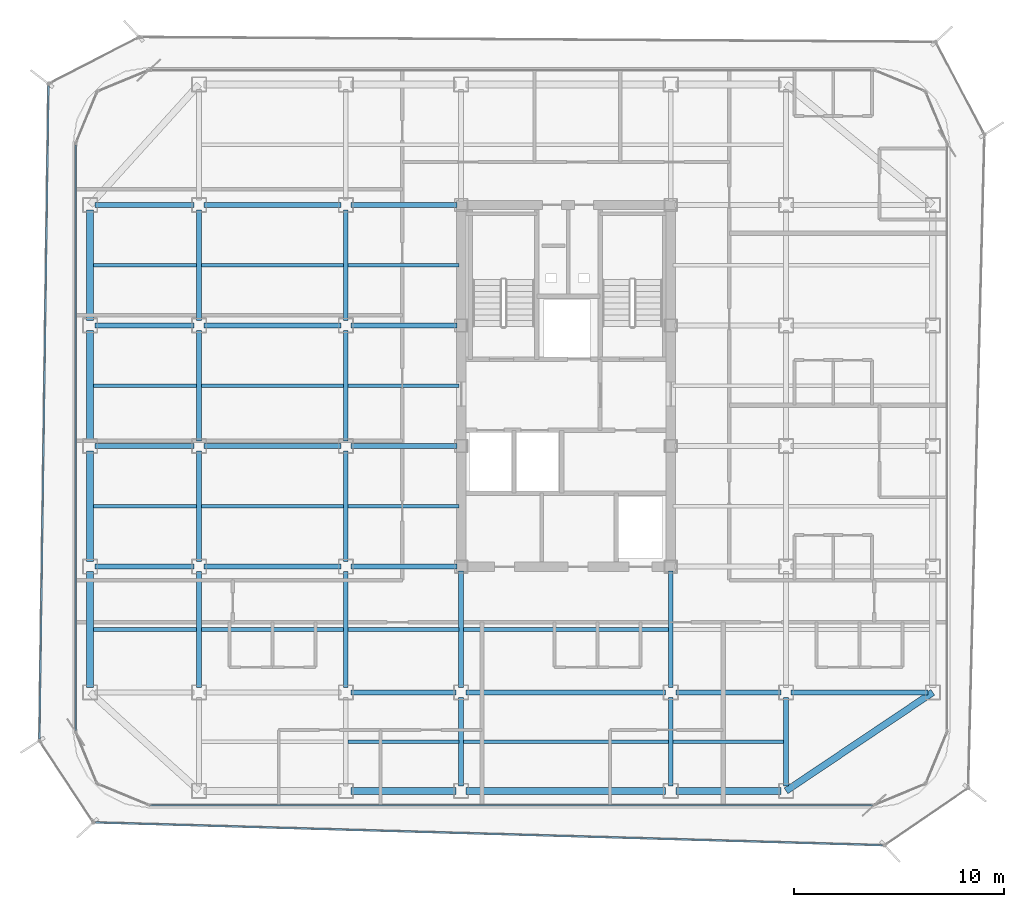
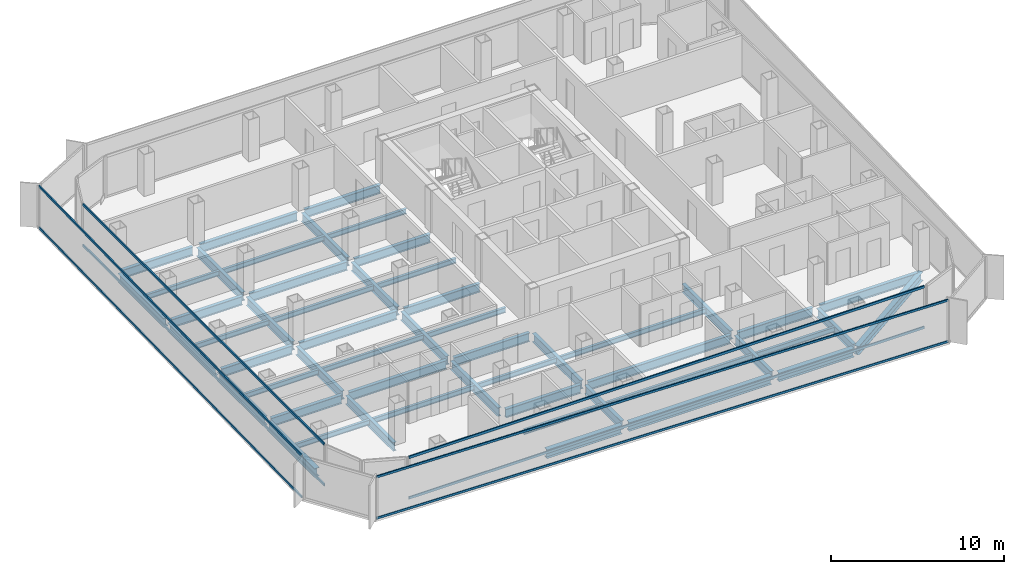
# One storey, part 3 of 15: 53 beams, 8 members, 4 elements without a shape of their own.
"""IFC4 building model written with IfcOpenShell, lengths in metres."""

from ifc_helpers import new_model, si_unit, direction, frame, origin, origin_2d, place, context, subcontext, project, spatial, hollow_rectangle, i_section, extrude, source, transform, mapped, material, layer, layer_set, material_profile, profile_set, type_object, element, aggregate, save


model = new_model("IFC4")

# Units and contexts
model_context = context("Model", 3, precision=1e-05, world=origin(), true_north=direction((0.0, 1.0)))
body_context = subcontext(model_context, "Body", "Model", "MODEL_VIEW")
ifc_project = project(units=[si_unit("LENGTHUNIT", "METRE"), si_unit("AREAUNIT", "SQUARE_METRE"), si_unit("VOLUMEUNIT", "CUBIC_METRE"), si_unit("PLANEANGLEUNIT", "RADIAN"), si_unit("MASSUNIT", "GRAM", prefix="KILO")], contexts=[model_context])

# Site, building, storey
site_placement = place(None, origin())
site = spatial("IfcSite", under=ifc_project, at=site_placement, CompositionType="ELEMENT")
building_placement = place(site_placement, origin())
building = spatial("IfcBuilding", under=site, at=building_placement, Name="Kolveth Station Tower", CompositionType="ELEMENT")
storey_placement = place(building_placement, frame((0.0, 0.0, 202.800048828125)))
storey = spatial("IfcBuildingStorey", under=building, at=storey_placement, Name="L57", CompositionType="ELEMENT", Elevation=202.800048828125)

# Beams
ifc_material_1 = material(Name="Steel S355", Category="steel")
ifc_material_profile_1 = material_profile(ifc_material_1, i_section(OverallWidth=0.323974609375, OverallDepth=0.611083984375, WebThickness=0.0126953125, FlangeThickness=0.01904296875, at=origin_2d()), Name="W610x155")
ifc_profile_set_1 = profile_set([ifc_material_profile_1], Name="Steel S355")
beam_type_1 = type_object("IfcBeamType", Name="Beam_SP2", PredefinedType="SPANDREL", material=ifc_profile_set_1)
shared_shape_1 = source(origin(), body_context, "Body", "SweptSolid", [
    extrude(i_section(OverallWidth=0.323974609375, OverallDepth=0.611083984375, WebThickness=0.0126953125, FlangeThickness=0.01904296875, at=origin_2d()), origin(), (0.0, 0.0, 1.0), 5.02001953125),
])
for number, where, z_axis, x_axis, name in (
    (1, (13.239990234375, 0.800048828125, -0.5556640625), (1.0, 0.0, 0.0), (0.0, 1.0, 0.0), "L57 Perimeter Spandrel BM-L57-PS-2"),
    (2, (28.739990234375, 0.800048828125, -0.5556640625), (1.0, 0.0, 0.0), (0.0, 1.0, 0.0), "L57 Perimeter Spandrel BM-L57-PS-4"),
):
    element("IfcBeam", number, at=place(storey_placement, frame(where, z_axis=z_axis, x_axis=x_axis)), inside=storey, type_object=beam_type_1, Name=name, PredefinedType="SPANDREL", context=body_context, shape_type="MappedRepresentation", body=[
        mapped(shared_shape_1, transform((0.0, 0.0, 0.0), x_axis=(1.0, 0.0, 0.0), y_axis=(0.0, 1.0, 0.0), z_axis=(0.0, 0.0, 1.0), scale=1.0)),
    ])
shared_shape_2 = source(origin(), body_context, "Body", "SweptSolid", [
    extrude(i_section(OverallWidth=0.323974609375, OverallDepth=0.611083984375, WebThickness=0.0126953125, FlangeThickness=0.01904296875, at=origin_2d()), origin(), (0.0, 0.0, 1.0), 9.52001953125),
])
beam_1_placement = place(storey_placement, frame((18.739990234375, 0.800048828125, -0.5556640625), z_axis=(1.0, 0.0, 0.0), x_axis=(0.0, 1.0, 0.0)))
element("IfcBeam", 3, at=beam_1_placement, inside=storey, type_object=beam_type_1, Name="L57 Perimeter Spandrel BM-L57-PS-3", PredefinedType="SPANDREL", context=body_context, shape_type="MappedRepresentation", body=[
    mapped(shared_shape_2, transform((0.0, 0.0, 0.0), x_axis=(1.0, 0.0, 0.0), y_axis=(0.0, 1.0, 0.0), z_axis=(0.0, 0.0, 1.0), scale=1.0)),
])
shared_shape_3 = source(origin(), body_context, "Body", "SweptSolid", [
    extrude(i_section(OverallWidth=0.323974609375, OverallDepth=0.611083984375, WebThickness=0.0126953125, FlangeThickness=0.01904296875, at=origin_2d()), origin(), (0.0, 0.0, 1.0), 5.52001953125),
])
beam_2_placement = place(storey_placement, frame((0.800048828125, 5.739990234375, -0.5556640625), z_axis=(0.0, 1.0, 0.0), x_axis=(-1.0, 0.0, 0.0)))
element("IfcBeam", 4, at=beam_2_placement, inside=storey, type_object=beam_type_1, Name="L57 Perimeter Spandrel BM-L57-PW-1", PredefinedType="SPANDREL", context=body_context, shape_type="MappedRepresentation", body=[
    mapped(shared_shape_3, transform((0.0, 0.0, 0.0), x_axis=(1.0, 0.0, 0.0), y_axis=(0.0, 1.0, 0.0), z_axis=(0.0, 0.0, 1.0), scale=1.0)),
])
shared_shape_4 = source(origin(), body_context, "Body", "SweptSolid", [
    extrude(i_section(OverallWidth=0.323974609375, OverallDepth=0.611083984375, WebThickness=0.0126953125, FlangeThickness=0.01904296875, at=origin_2d()), origin(), (0.0, 0.0, 1.0), 5.27001953125),
])
for number, where, z_axis, x_axis, name in (
    (5, (0.800048828125, 11.739990234375, -0.5556640625), (0.0, 1.0, 0.0), (-1.0, 0.0, 0.0), "L57 Perimeter Spandrel BM-L57-PW-2"),
    (6, (0.800048828125, 17.489990234375, -0.5556640625), (0.0, 1.0, 0.0), (-1.0, 0.0, 0.0), "L57 Perimeter Spandrel BM-L57-PW-3"),
    (7, (0.800048828125, 23.239990234375, -0.5556640625), (0.0, 1.0, 0.0), (-1.0, 0.0, 0.0), "L57 Perimeter Spandrel BM-L57-PW-4"),
):
    element("IfcBeam", number, at=place(storey_placement, frame(where, z_axis=z_axis, x_axis=x_axis)), inside=storey, type_object=beam_type_1, Name=name, PredefinedType="SPANDREL", context=body_context, shape_type="MappedRepresentation", body=[
        mapped(shared_shape_4, transform((0.0, 0.0, 0.0), x_axis=(1.0, 0.0, 0.0), y_axis=(0.0, 1.0, 0.0), z_axis=(0.0, 0.0, 1.0), scale=1.0)),
    ])
shared_shape_5 = source(origin(), body_context, "Body", "SweptSolid", [
    extrude(i_section(OverallWidth=0.323974609375, OverallDepth=0.611083984375, WebThickness=0.0126953125, FlangeThickness=0.01904296875, at=origin_2d()), origin(), (0.0, 0.0, 1.0), 8.431396484375),
])
beam_3_placement = place(storey_placement, frame((34.0, 0.800048828125, -0.5556640625), z_axis=(0.830223811004, 0.557430196206, 0.0), x_axis=(-0.557430196206, 0.830223811004, 0.0)))
element("IfcBeam", 8, at=beam_3_placement, inside=storey, type_object=beam_type_1, Name="L57 Corner Edge Girder BM-L57-CNR-SE", PredefinedType="SPANDREL", context=body_context, shape_type="MappedRepresentation", body=[
    mapped(shared_shape_5, transform((0.0, 0.0, 0.0), x_axis=(1.0, 0.0, 0.0), y_axis=(0.0, 1.0, 0.0), z_axis=(0.0, 0.0, 1.0), scale=1.0)),
])
ifc_material_profile_2 = material_profile(ifc_material_1, i_section(OverallWidth=0.22900390625, OverallDepth=0.612060546875, WebThickness=0.011962890625, FlangeThickness=0.01953125, at=origin_2d()), Name="W610x125")
ifc_profile_set_2 = profile_set([ifc_material_profile_2], Name="Steel S355")
beam_type_2 = type_object("IfcBeamType", Name="Beam_B5", PredefinedType="BEAM", material=ifc_profile_set_2)
shared_shape_6 = source(origin(), body_context, "Body", "SweptSolid", [
    extrude(i_section(OverallWidth=0.22900390625, OverallDepth=0.612060546875, WebThickness=0.011962890625, FlangeThickness=0.01953125, at=origin_2d()), origin(), (0.0, 0.0, 1.0), 4.719970703125),
])
for number, where, z_axis, x_axis, name in (
    (9, (1.0400390625, 11.5, -0.55615234375), (1.0, 0.0, 0.0), (0.0, 1.0, 0.0), "L57 Primary Girder BM-L57-GY115-1"),
    (10, (1.0400390625, 17.25, -0.55615234375), (1.0, 0.0, 0.0), (0.0, 1.0, 0.0), "L57 Primary Girder BM-L57-GY172-1"),
    (11, (1.0400390625, 23.0, -0.55615234375), (1.0, 0.0, 0.0), (0.0, 1.0, 0.0), "L57 Primary Girder BM-L57-GY230-1"),
    (12, (1.0400390625, 28.75, -0.55615234375), (1.0, 0.0, 0.0), (0.0, 1.0, 0.0), "L57 Primary Girder BM-L57-GY287-1"),
):
    element("IfcBeam", number, at=place(storey_placement, frame(where, z_axis=z_axis, x_axis=x_axis)), inside=storey, type_object=beam_type_2, Name=name, PredefinedType="BEAM", context=body_context, shape_type="MappedRepresentation", body=[
        mapped(shared_shape_6, transform((0.0, 0.0, 0.0), x_axis=(1.0, 0.0, 0.0), y_axis=(0.0, 1.0, 0.0), z_axis=(0.0, 0.0, 1.0), scale=1.0)),
    ])
shared_shape_7 = source(origin(), body_context, "Body", "SweptSolid", [
    extrude(i_section(OverallWidth=0.22900390625, OverallDepth=0.612060546875, WebThickness=0.011962890625, FlangeThickness=0.01953125, at=origin_2d()), origin(), (0.0, 0.0, 1.0), 6.52001953125),
])
for number, where, z_axis, x_axis, name in (
    (13, (34.239990234375, 5.5, -0.55615234375), (1.0, 0.0, 0.0), (0.0, 1.0, 0.0), "L57 Primary Girder BM-L57-GY55-6"),
    (14, (6.239990234375, 11.5, -0.55615234375), (1.0, 0.0, 0.0), (0.0, 1.0, 0.0), "L57 Primary Girder BM-L57-GY115-2"),
    (15, (6.239990234375, 17.25, -0.55615234375), (1.0, 0.0, 0.0), (0.0, 1.0, 0.0), "L57 Primary Girder BM-L57-GY172-2"),
    (16, (6.239990234375, 23.0, -0.55615234375), (1.0, 0.0, 0.0), (0.0, 1.0, 0.0), "L57 Primary Girder BM-L57-GY230-2"),
    (17, (6.239990234375, 28.75, -0.55615234375), (1.0, 0.0, 0.0), (0.0, 1.0, 0.0), "L57 Primary Girder BM-L57-GY287-2"),
):
    element("IfcBeam", number, at=place(storey_placement, frame(where, z_axis=z_axis, x_axis=x_axis)), inside=storey, type_object=beam_type_2, Name=name, PredefinedType="BEAM", context=body_context, shape_type="MappedRepresentation", body=[
        mapped(shared_shape_7, transform((0.0, 0.0, 0.0), x_axis=(1.0, 0.0, 0.0), y_axis=(0.0, 1.0, 0.0), z_axis=(0.0, 0.0, 1.0), scale=1.0)),
    ])
shared_shape_8 = source(origin(), body_context, "Body", "SweptSolid", [
    extrude(i_section(OverallWidth=0.22900390625, OverallDepth=0.612060546875, WebThickness=0.011962890625, FlangeThickness=0.01953125, at=origin_2d()), origin(), (0.0, 0.0, 1.0), 5.02001953125),
])
for number, where, z_axis, x_axis, name in (
    (18, (13.239990234375, 5.5, -0.55615234375), (1.0, 0.0, 0.0), (0.0, 1.0, 0.0), "L57 Primary Girder BM-L57-GY55-3"),
    (19, (28.739990234375, 5.5, -0.55615234375), (1.0, 0.0, 0.0), (0.0, 1.0, 0.0), "L57 Primary Girder BM-L57-GY55-5"),
):
    element("IfcBeam", number, at=place(storey_placement, frame(where, z_axis=z_axis, x_axis=x_axis)), inside=storey, type_object=beam_type_2, Name=name, PredefinedType="BEAM", context=body_context, shape_type="MappedRepresentation", body=[
        mapped(shared_shape_8, transform((0.0, 0.0, 0.0), x_axis=(1.0, 0.0, 0.0), y_axis=(0.0, 1.0, 0.0), z_axis=(0.0, 0.0, 1.0), scale=1.0)),
    ])
shared_shape_9 = source(origin(), body_context, "Body", "SweptSolid", [
    extrude(i_section(OverallWidth=0.22900390625, OverallDepth=0.612060546875, WebThickness=0.011962890625, FlangeThickness=0.01953125, at=origin_2d()), origin(), (0.0, 0.0, 1.0), 9.52001953125),
])
beam_4_placement = place(storey_placement, frame((18.739990234375, 5.5, -0.55615234375), z_axis=(1.0, 0.0, 0.0), x_axis=(0.0, 1.0, 0.0)))
element("IfcBeam", 20, at=beam_4_placement, inside=storey, type_object=beam_type_2, Name="L57 Primary Girder BM-L57-GY55-4", PredefinedType="BEAM", context=body_context, shape_type="MappedRepresentation", body=[
    mapped(shared_shape_9, transform((0.0, 0.0, 0.0), x_axis=(1.0, 0.0, 0.0), y_axis=(0.0, 1.0, 0.0), z_axis=(0.0, 0.0, 1.0), scale=1.0)),
])
shared_shape_10 = source(origin(), body_context, "Body", "SweptSolid", [
    extrude(i_section(OverallWidth=0.22900390625, OverallDepth=0.612060546875, WebThickness=0.011962890625, FlangeThickness=0.01953125, at=origin_2d()), origin(), (0.0, 0.0, 1.0), 5.06005859375),
])
for number, where, z_axis, x_axis, name in (
    (21, (13.239990234375, 11.5, -0.55615234375), (1.0, 0.0, 0.0), (0.0, 1.0, 0.0), "L57 Primary Girder BM-L57-GY115-3"),
    (22, (13.239990234375, 17.25, -0.55615234375), (1.0, 0.0, 0.0), (0.0, 1.0, 0.0), "L57 Primary Girder BM-L57-GY172-3"),
    (23, (13.239990234375, 23.0, -0.55615234375), (1.0, 0.0, 0.0), (0.0, 1.0, 0.0), "L57 Primary Girder BM-L57-GY230-3"),
    (24, (13.239990234375, 28.75, -0.55615234375), (1.0, 0.0, 0.0), (0.0, 1.0, 0.0), "L57 Primary Girder BM-L57-GY287-3"),
):
    element("IfcBeam", number, at=place(storey_placement, frame(where, z_axis=z_axis, x_axis=x_axis)), inside=storey, type_object=beam_type_2, Name=name, PredefinedType="BEAM", context=body_context, shape_type="MappedRepresentation", body=[
        mapped(shared_shape_10, transform((0.0, 0.0, 0.0), x_axis=(1.0, 0.0, 0.0), y_axis=(0.0, 1.0, 0.0), z_axis=(0.0, 0.0, 1.0), scale=1.0)),
    ])
shared_shape_11 = source(origin(), body_context, "Body", "SweptSolid", [
    extrude(i_section(OverallWidth=0.22900390625, OverallDepth=0.612060546875, WebThickness=0.011962890625, FlangeThickness=0.01953125, at=origin_2d()), origin(), (0.0, 0.0, 1.0), 4.219970703125),
])
for number, where, z_axis, x_axis, name in (
    (25, (18.5, 1.0400390625, -0.55615234375), (0.0, 1.0, 0.0), (-1.0, 0.0, 0.0), "L57 Primary Girder BM-L57-GX185-1"),
    (26, (28.5, 1.0400390625, -0.55615234375), (0.0, 1.0, 0.0), (-1.0, 0.0, 0.0), "L57 Primary Girder BM-L57-GX285-1"),
    (27, (34.0, 1.0400390625, -0.55615234375), (0.0, 1.0, 0.0), (-1.0, 0.0, 0.0), "L57 Primary Girder BM-L57-GX340-1"),
):
    element("IfcBeam", number, at=place(storey_placement, frame(where, z_axis=z_axis, x_axis=x_axis)), inside=storey, type_object=beam_type_2, Name=name, PredefinedType="BEAM", context=body_context, shape_type="MappedRepresentation", body=[
        mapped(shared_shape_11, transform((0.0, 0.0, 0.0), x_axis=(1.0, 0.0, 0.0), y_axis=(0.0, 1.0, 0.0), z_axis=(0.0, 0.0, 1.0), scale=1.0)),
    ])
shared_shape_12 = source(origin(), body_context, "Body", "SweptSolid", [
    extrude(i_section(OverallWidth=0.22900390625, OverallDepth=0.612060546875, WebThickness=0.011962890625, FlangeThickness=0.01953125, at=origin_2d()), origin(), (0.0, 0.0, 1.0), 5.52001953125),
])
for number, where, z_axis, x_axis, name in (
    (28, (6.0, 5.739990234375, -0.55615234375), (0.0, 1.0, 0.0), (-1.0, 0.0, 0.0), "L57 Primary Girder BM-L57-GX60-2"),
    (29, (13.0, 5.739990234375, -0.55615234375), (0.0, 1.0, 0.0), (-1.0, 0.0, 0.0), "L57 Primary Girder BM-L57-GX130-2"),
):
    element("IfcBeam", number, at=place(storey_placement, frame(where, z_axis=z_axis, x_axis=x_axis)), inside=storey, type_object=beam_type_2, Name=name, PredefinedType="BEAM", context=body_context, shape_type="MappedRepresentation", body=[
        mapped(shared_shape_12, transform((0.0, 0.0, 0.0), x_axis=(1.0, 0.0, 0.0), y_axis=(0.0, 1.0, 0.0), z_axis=(0.0, 0.0, 1.0), scale=1.0)),
    ])
shared_shape_13 = source(origin(), body_context, "Body", "SweptSolid", [
    extrude(i_section(OverallWidth=0.22900390625, OverallDepth=0.612060546875, WebThickness=0.011962890625, FlangeThickness=0.01953125, at=origin_2d()), origin(), (0.0, 0.0, 1.0), 5.27001953125),
])
for number, where, z_axis, x_axis, name in (
    (30, (6.0, 11.739990234375, -0.55615234375), (0.0, 1.0, 0.0), (-1.0, 0.0, 0.0), "L57 Primary Girder BM-L57-GX60-3"),
    (31, (6.0, 17.489990234375, -0.55615234375), (0.0, 1.0, 0.0), (-1.0, 0.0, 0.0), "L57 Primary Girder BM-L57-GX60-4"),
    (32, (6.0, 23.239990234375, -0.55615234375), (0.0, 1.0, 0.0), (-1.0, 0.0, 0.0), "L57 Primary Girder BM-L57-GX60-5"),
    (33, (13.0, 11.739990234375, -0.55615234375), (0.0, 1.0, 0.0), (-1.0, 0.0, 0.0), "L57 Primary Girder BM-L57-GX130-3"),
    (34, (13.0, 17.489990234375, -0.55615234375), (0.0, 1.0, 0.0), (-1.0, 0.0, 0.0), "L57 Primary Girder BM-L57-GX130-4"),
    (35, (13.0, 23.239990234375, -0.55615234375), (0.0, 1.0, 0.0), (-1.0, 0.0, 0.0), "L57 Primary Girder BM-L57-GX130-5"),
):
    element("IfcBeam", number, at=place(storey_placement, frame(where, z_axis=z_axis, x_axis=x_axis)), inside=storey, type_object=beam_type_2, Name=name, PredefinedType="BEAM", context=body_context, shape_type="MappedRepresentation", body=[
        mapped(shared_shape_13, transform((0.0, 0.0, 0.0), x_axis=(1.0, 0.0, 0.0), y_axis=(0.0, 1.0, 0.0), z_axis=(0.0, 0.0, 1.0), scale=1.0)),
    ])
shared_shape_14 = source(origin(), body_context, "Body", "SweptSolid", [
    extrude(i_section(OverallWidth=0.22900390625, OverallDepth=0.612060546875, WebThickness=0.011962890625, FlangeThickness=0.01953125, at=origin_2d()), origin(), (0.0, 0.0, 1.0), 5.56005859375),
])
for number, where, z_axis, x_axis, name in (
    (36, (18.5, 5.739990234375, -0.55615234375), (0.0, 1.0, 0.0), (-1.0, 0.0, 0.0), "L57 Primary Girder BM-L57-GX185-2"),
    (37, (28.5, 5.739990234375, -0.55615234375), (0.0, 1.0, 0.0), (-1.0, 0.0, 0.0), "L57 Primary Girder BM-L57-GX285-2"),
):
    element("IfcBeam", number, at=place(storey_placement, frame(where, z_axis=z_axis, x_axis=x_axis)), inside=storey, type_object=beam_type_2, Name=name, PredefinedType="BEAM", context=body_context, shape_type="MappedRepresentation", body=[
        mapped(shared_shape_14, transform((0.0, 0.0, 0.0), x_axis=(1.0, 0.0, 0.0), y_axis=(0.0, 1.0, 0.0), z_axis=(0.0, 0.0, 1.0), scale=1.0)),
    ])
ifc_material_profile_3 = material_profile(ifc_material_1, i_section(OverallWidth=0.1708984375, OverallDepth=0.35205078125, WebThickness=0.0068359375, FlangeThickness=0.009765625, at=origin_2d()), Name="W360x44")
ifc_profile_set_3 = profile_set([ifc_material_profile_3], Name="Steel S355")
beam_type_3 = type_object("IfcBeamType", Name="Beam_J2", PredefinedType="JOIST", material=ifc_profile_set_3)
shared_shape_15 = source(origin(), body_context, "Body", "SweptSolid", [
    extrude(i_section(OverallWidth=0.1708984375, OverallDepth=0.35205078125, WebThickness=0.0068359375, FlangeThickness=0.009765625, at=origin_2d()), origin(), (0.0, 0.0, 1.0), 4.927490234375),
])
for number, where, z_axis, x_axis, name in (
    (38, (0.9599609375, 8.5, -0.426025390625), (1.0, 0.0, 0.0), (0.0, 1.0, 0.0), "L57 Secondary Joist JST-L57-1-2"),
    (39, (0.9599609375, 14.375, -0.426025390625), (1.0, 0.0, 0.0), (0.0, 1.0, 0.0), "L57 Secondary Joist JST-L57-1-3"),
    (40, (0.9599609375, 20.125, -0.426025390625), (1.0, 0.0, 0.0), (0.0, 1.0, 0.0), "L57 Secondary Joist JST-L57-1-4"),
    (41, (0.9599609375, 25.875, -0.426025390625), (1.0, 0.0, 0.0), (0.0, 1.0, 0.0), "L57 Secondary Joist JST-L57-1-5"),
):
    element("IfcBeam", number, at=place(storey_placement, frame(where, z_axis=z_axis, x_axis=x_axis)), inside=storey, type_object=beam_type_3, Name=name, PredefinedType="JOIST", context=body_context, shape_type="MappedRepresentation", body=[
        mapped(shared_shape_15, transform((0.0, 0.0, 0.0), x_axis=(1.0, 0.0, 0.0), y_axis=(0.0, 1.0, 0.0), z_axis=(0.0, 0.0, 1.0), scale=1.0)),
    ])
shared_shape_16 = source(origin(), body_context, "Body", "SweptSolid", [
    extrude(i_section(OverallWidth=0.1708984375, OverallDepth=0.35205078125, WebThickness=0.0068359375, FlangeThickness=0.009765625, at=origin_2d()), origin(), (0.0, 0.0, 1.0), 6.77490234375),
])
for number, where, z_axis, x_axis, name in (
    (42, (6.112548828125, 8.5, -0.426025390625), (1.0, 0.0, 0.0), (0.0, 1.0, 0.0), "L57 Secondary Joist JST-L57-2-2"),
    (43, (6.112548828125, 14.375, -0.426025390625), (1.0, 0.0, 0.0), (0.0, 1.0, 0.0), "L57 Secondary Joist JST-L57-2-3"),
    (44, (6.112548828125, 20.125, -0.426025390625), (1.0, 0.0, 0.0), (0.0, 1.0, 0.0), "L57 Secondary Joist JST-L57-2-4"),
    (45, (6.112548828125, 25.875, -0.426025390625), (1.0, 0.0, 0.0), (0.0, 1.0, 0.0), "L57 Secondary Joist JST-L57-2-5"),
):
    element("IfcBeam", number, at=place(storey_placement, frame(where, z_axis=z_axis, x_axis=x_axis)), inside=storey, type_object=beam_type_3, Name=name, PredefinedType="JOIST", context=body_context, shape_type="MappedRepresentation", body=[
        mapped(shared_shape_16, transform((0.0, 0.0, 0.0), x_axis=(1.0, 0.0, 0.0), y_axis=(0.0, 1.0, 0.0), z_axis=(0.0, 0.0, 1.0), scale=1.0)),
    ])
shared_shape_17 = source(origin(), body_context, "Body", "SweptSolid", [
    extrude(i_section(OverallWidth=0.1708984375, OverallDepth=0.35205078125, WebThickness=0.0068359375, FlangeThickness=0.009765625, at=origin_2d()), origin(), (0.0, 0.0, 1.0), 5.27490234375),
])
for number, where, z_axis, x_axis, name in (
    (46, (13.112548828125, 3.14990234375, -0.426025390625), (1.0, 0.0, 0.0), (0.0, 1.0, 0.0), "L57 Secondary Joist JST-L57-3-1"),
    (47, (13.112548828125, 8.5, -0.426025390625), (1.0, 0.0, 0.0), (0.0, 1.0, 0.0), "L57 Secondary Joist JST-L57-3-2"),
    (48, (13.112548828125, 14.375, -0.426025390625), (1.0, 0.0, 0.0), (0.0, 1.0, 0.0), "L57 Secondary Joist JST-L57-3-3"),
    (49, (13.112548828125, 20.125, -0.426025390625), (1.0, 0.0, 0.0), (0.0, 1.0, 0.0), "L57 Secondary Joist JST-L57-3-4"),
    (50, (13.112548828125, 25.875, -0.426025390625), (1.0, 0.0, 0.0), (0.0, 1.0, 0.0), "L57 Secondary Joist JST-L57-3-5"),
    (51, (28.612548828125, 3.14990234375, -0.426025390625), (1.0, 0.0, 0.0), (0.0, 1.0, 0.0), "L57 Secondary Joist JST-L57-5-1"),
):
    element("IfcBeam", number, at=place(storey_placement, frame(where, z_axis=z_axis, x_axis=x_axis)), inside=storey, type_object=beam_type_3, Name=name, PredefinedType="JOIST", context=body_context, shape_type="MappedRepresentation", body=[
        mapped(shared_shape_17, transform((0.0, 0.0, 0.0), x_axis=(1.0, 0.0, 0.0), y_axis=(0.0, 1.0, 0.0), z_axis=(0.0, 0.0, 1.0), scale=1.0)),
    ])
shared_shape_18 = source(origin(), body_context, "Body", "SweptSolid", [
    extrude(i_section(OverallWidth=0.1708984375, OverallDepth=0.35205078125, WebThickness=0.0068359375, FlangeThickness=0.009765625, at=origin_2d()), origin(), (0.0, 0.0, 1.0), 9.77490234375),
])
for number, where, z_axis, x_axis, name in (
    (52, (18.612548828125, 3.14990234375, -0.426025390625), (1.0, 0.0, 0.0), (0.0, 1.0, 0.0), "L57 Secondary Joist JST-L57-4-1"),
    (53, (18.612548828125, 8.5, -0.426025390625), (1.0, 0.0, 0.0), (0.0, 1.0, 0.0), "L57 Secondary Joist JST-L57-4-2"),
):
    element("IfcBeam", number, at=place(storey_placement, frame(where, z_axis=z_axis, x_axis=x_axis)), inside=storey, type_object=beam_type_3, Name=name, PredefinedType="JOIST", context=body_context, shape_type="MappedRepresentation", body=[
        mapped(shared_shape_18, transform((0.0, 0.0, 0.0), x_axis=(1.0, 0.0, 0.0), y_axis=(0.0, 1.0, 0.0), z_axis=(0.0, 0.0, 1.0), scale=1.0)),
    ])

# Curtain wall, members
ifc_material_2 = material(Name="Aluminium 6063-T6 and low-E dark glass", Category="aluminium")
ifc_layer_1 = layer(ifc_material_2, 0.18994140625)
ifc_layer_set_1 = layer_set([ifc_layer_1], Name="Aluminium 6063-T6 and low-E dark glass")
curtain_wall_type_1 = type_object("IfcCurtainWallType", Name="CurtainWall_CW-Z2", PredefinedType="NOTDEFINED", material=ifc_layer_set_1)
curtain_wall_1_placement = place(storey_placement, origin())
curtain_wall_1 = element("IfcCurtainWall", 54, at=curtain_wall_1_placement, inside=storey, type_object=curtain_wall_type_1, Name="L57 Inner Thermal Curtain Wall 9", PredefinedType="NOTDEFINED")
ifc_material_3 = material(Name="Black anodized aluminium 6063-T6", Category="aluminium")
ifc_material_profile_4 = material_profile(ifc_material_3, hollow_rectangle(XDim=0.080078125, YDim=0.169921875, WallThickness=0.0048828125, at=origin_2d()), Name="ALU-80x170x5")
ifc_profile_set_4 = profile_set([ifc_material_profile_4], Name="Black anodized aluminium 6063-T6")
member_type_1 = type_object("IfcMemberType", Name="Transom_TR2", PredefinedType="USERDEFINED", material=ifc_profile_set_4)
shared_shape_19 = source(origin(), body_context, "Body", "SweptSolid", [
    extrude(hollow_rectangle(XDim=0.080078125, YDim=0.169921875, WallThickness=0.0048828125, at=origin_2d()), origin(), (0.0, 0.0, 1.0), 27.940185546875),
])
member_1_placement = place(storey_placement, frame((0.1201171875, 31.6201171875, 0.0400390625), z_axis=(0.0, -1.0, 0.0), x_axis=(1.0, 0.0, 0.0)))
member_1 = element("IfcMember", 55, at=member_1_placement, type_object=member_type_1, Name="CW-Z2 transom 1.1", ObjectType="TRANSOM", PredefinedType="USERDEFINED", context=body_context, shape_type="MappedRepresentation", body=[
    mapped(shared_shape_19, transform((0.0, 0.0, 0.0), x_axis=(1.0, 0.0, 0.0), y_axis=(0.0, 1.0, 0.0), z_axis=(0.0, 0.0, 1.0), scale=1.0)),
])
member_2_placement = place(storey_placement, frame((0.1201171875, 31.6201171875, 2.909912109375), z_axis=(0.0, -1.0, 0.0), x_axis=(1.0, 0.0, 0.0)))
member_2 = element("IfcMember", 56, at=member_2_placement, type_object=member_type_1, Name="CW-Z2 transom 1.2", ObjectType="TRANSOM", PredefinedType="USERDEFINED", context=body_context, shape_type="MappedRepresentation", body=[
    mapped(shared_shape_19, transform((0.0, 0.0, 0.0), x_axis=(1.0, 0.0, 0.0), y_axis=(0.0, 1.0, 0.0), z_axis=(0.0, 0.0, 1.0), scale=1.0)),
])
aggregate(curtain_wall_1, [member_1, member_2])

curtain_wall_2_placement = place(storey_placement, origin())
curtain_wall_2 = element("IfcCurtainWall", 57, at=curtain_wall_2_placement, inside=storey, type_object=curtain_wall_type_1, Name="L57 Inner Thermal Curtain Wall 12", PredefinedType="NOTDEFINED")
shared_shape_20 = source(origin(), body_context, "Body", "SweptSolid", [
    extrude(hollow_rectangle(XDim=0.080078125, YDim=0.169921875, WallThickness=0.0048828125, at=origin_2d()), origin(), (0.0, 0.0, 1.0), 34.440185546875),
])
member_3_placement = place(storey_placement, frame((3.679931640625, 0.1201171875, 0.0400390625), z_axis=(1.0, 0.0, 0.0), x_axis=(0.0, 1.0, 0.0)))
member_3 = element("IfcMember", 58, at=member_3_placement, type_object=member_type_1, Name="CW-Z2 transom 1.1", ObjectType="TRANSOM", PredefinedType="USERDEFINED", context=body_context, shape_type="MappedRepresentation", body=[
    mapped(shared_shape_20, transform((0.0, 0.0, 0.0), x_axis=(1.0, 0.0, 0.0), y_axis=(0.0, 1.0, 0.0), z_axis=(0.0, 0.0, 1.0), scale=1.0)),
])
member_4_placement = place(storey_placement, frame((3.679931640625, 0.1201171875, 2.909912109375), z_axis=(1.0, 0.0, 0.0), x_axis=(0.0, 1.0, 0.0)))
member_4 = element("IfcMember", 59, at=member_4_placement, type_object=member_type_1, Name="CW-Z2 transom 1.2", ObjectType="TRANSOM", PredefinedType="USERDEFINED", context=body_context, shape_type="MappedRepresentation", body=[
    mapped(shared_shape_20, transform((0.0, 0.0, 0.0), x_axis=(1.0, 0.0, 0.0), y_axis=(0.0, 1.0, 0.0), z_axis=(0.0, 0.0, 1.0), scale=1.0)),
])
aggregate(curtain_wall_2, [member_3, member_4])

ifc_material_4 = material(Name="Black anodized aluminium 6063-T6 and dark solar glass", Category="aluminium")
ifc_layer_2 = layer(ifc_material_4, 0.159912109375)
ifc_layer_set_2 = layer_set([ifc_layer_2], Name="Black anodized aluminium 6063-T6 and dark solar glass")
curtain_wall_type_2 = type_object("IfcCurtainWallType", Name="OUTER SKIN CW-OS", PredefinedType="NOTDEFINED", material=ifc_layer_set_2)
curtain_wall_3_placement = place(storey_placement, origin())
curtain_wall_3 = element("IfcCurtainWall", 60, at=curtain_wall_3_placement, inside=storey, type_object=curtain_wall_type_2, Name="L57 Outer Ventilated Skin Curtain Wall 6", PredefinedType="NOTDEFINED")
ifc_material_profile_5 = material_profile(ifc_material_3, hollow_rectangle(XDim=0.080078125, YDim=0.14990234375, WallThickness=0.0048828125, at=origin_2d()), Name="ALU-80x150x5")
ifc_profile_set_5 = profile_set([ifc_material_profile_5], Name="Black anodized aluminium 6063-T6")
member_type_2 = type_object("IfcMemberType", Name="Transom_TR-OS", PredefinedType="USERDEFINED", material=ifc_profile_set_5)
shared_shape_21 = source(origin(), body_context, "Body", "SweptSolid", [
    extrude(hollow_rectangle(XDim=0.080078125, YDim=0.14990234375, WallThickness=0.0048828125, at=origin_2d()), origin(), (0.0, 0.0, 1.0), 31.15576171875),
])
member_5_placement = place(storey_placement, frame((-1.181640625, 34.43701171875, 0.0400390625), z_axis=(-0.013846417802, -0.999904133762, 0.0), x_axis=(0.999904133762, -0.013846417802, 0.0)))
member_5 = element("IfcMember", 61, at=member_5_placement, type_object=member_type_2, Name="CW-OS transom 1.1", ObjectType="TRANSOM", PredefinedType="USERDEFINED", context=body_context, shape_type="MappedRepresentation", body=[
    mapped(shared_shape_21, transform((0.0, 0.0, 0.0), x_axis=(1.0, 0.0, 0.0), y_axis=(0.0, 1.0, 0.0), z_axis=(0.0, 0.0, 1.0), scale=1.0)),
])
member_6_placement = place(storey_placement, frame((-1.181640625, 34.43701171875, 2.949951171875), z_axis=(-0.013846417802, -0.999904133762, 0.0), x_axis=(0.999904133762, -0.013846417802, 0.0)))
member_6 = element("IfcMember", 62, at=member_6_placement, type_object=member_type_2, Name="CW-OS transom 1.2", ObjectType="TRANSOM", PredefinedType="USERDEFINED", context=body_context, shape_type="MappedRepresentation", body=[
    mapped(shared_shape_21, transform((0.0, 0.0, 0.0), x_axis=(1.0, 0.0, 0.0), y_axis=(0.0, 1.0, 0.0), z_axis=(0.0, 0.0, 1.0), scale=1.0)),
])
aggregate(curtain_wall_3, [member_5, member_6])

curtain_wall_4_placement = place(storey_placement, origin())
curtain_wall_4 = element("IfcCurtainWall", 63, at=curtain_wall_4_placement, inside=storey, type_object=curtain_wall_type_2, Name="L57 Outer Ventilated Skin Curtain Wall 8", PredefinedType="NOTDEFINED")
shared_shape_22 = source(origin(), body_context, "Body", "SweptSolid", [
    extrude(hollow_rectangle(XDim=0.080078125, YDim=0.14990234375, WallThickness=0.0048828125, at=origin_2d()), origin(), (0.0, 0.0, 1.0), 37.572021484375),
])
member_7_placement = place(storey_placement, frame((1.050048828125, -0.706298828125, 0.0400390625), z_axis=(0.999582039975, -0.028909260785, 0.0), x_axis=(0.028909260785, 0.999582039975, 0.0)))
member_7 = element("IfcMember", 64, at=member_7_placement, type_object=member_type_2, Name="CW-OS transom 1.1", ObjectType="TRANSOM", PredefinedType="USERDEFINED", context=body_context, shape_type="MappedRepresentation", body=[
    mapped(shared_shape_22, transform((0.0, 0.0, 0.0), x_axis=(1.0, 0.0, 0.0), y_axis=(0.0, 1.0, 0.0), z_axis=(0.0, 0.0, 1.0), scale=1.0)),
])
member_8_placement = place(storey_placement, frame((1.050048828125, -0.706298828125, 2.949951171875), z_axis=(0.999582039975, -0.028909260785, 0.0), x_axis=(0.028909260785, 0.999582039975, 0.0)))
member_8 = element("IfcMember", 65, at=member_8_placement, type_object=member_type_2, Name="CW-OS transom 1.2", ObjectType="TRANSOM", PredefinedType="USERDEFINED", context=body_context, shape_type="MappedRepresentation", body=[
    mapped(shared_shape_22, transform((0.0, 0.0, 0.0), x_axis=(1.0, 0.0, 0.0), y_axis=(0.0, 1.0, 0.0), z_axis=(0.0, 0.0, 1.0), scale=1.0)),
])
aggregate(curtain_wall_4, [member_7, member_8])

save(model, "model.ifc")
